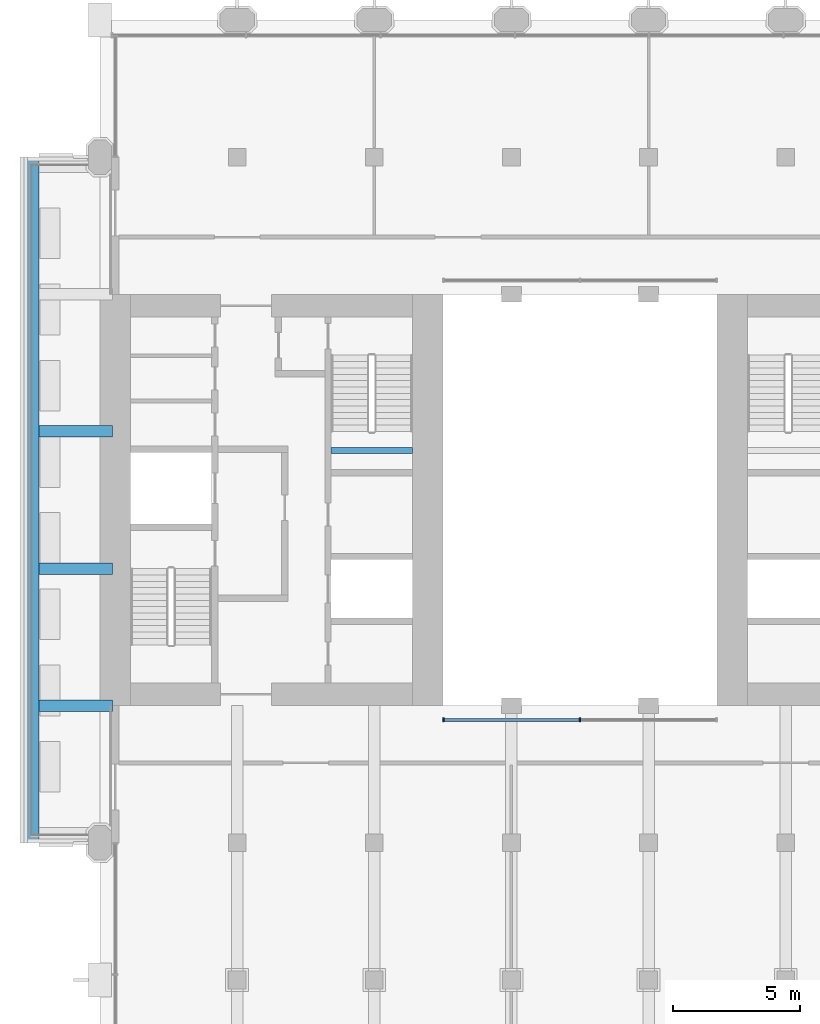
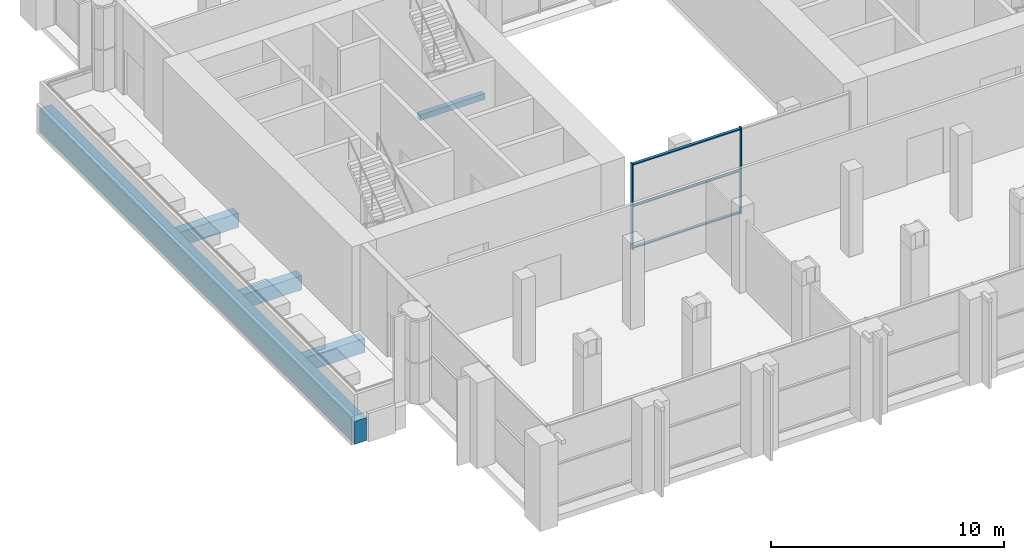
# One storey, part 4 of 14: 5 beams, 5 members, 1 element without a shape of its own.
"""IFC4 building model written with IfcOpenShell, lengths in metres."""

import ifcopenshell
import ifcopenshell.guid

model = None  # the IFC model being written
_history = None  # IfcOwnerHistory: only IFC2X3 demands one
_inside = {}  # id of a spatial element -> (the spatial element, [elements in it])
_under = {}  # id of a project, library or spatial element -> (it, [spatial elements below it])
_declared = {}  # id of a project -> (the project, [libraries it declares])
_typed = {}  # id of a type object -> (the type object, [elements of that type])
_made_of = {}  # id of a material, layer set ... -> (it, [elements and type objects made of it])


def new_model(schema):
    """Start an empty IFC model of exactly this schema.

    Asked for "IFC4X3", IfcOpenShell would pick the latest addendum, in which some entities
    have other attributes; the version numbers below select the first issue.
    IFC2X3 requires an IfcOwnerHistory on every rooted entity: one is made here for all.
    """
    global model, _history
    if schema == "IFC4X3":
        model = ifcopenshell.file(schema_version=(4, 3, 0, 0))
    else:
        model = ifcopenshell.file(schema=schema)
    _inside.clear()
    _under.clear()
    _declared.clear()
    _typed.clear()
    _made_of.clear()
    _history = None
    if model.schema == "IFC2X3":
        org = make("IfcOrganization", Name="unknown")
        user = make(
            "IfcPersonAndOrganization",
            ThePerson=make("IfcPerson", FamilyName="unknown"),
            TheOrganization=org,
        )
        app = make(
            "IfcApplication",
            ApplicationDeveloper=org,
            Version="unknown",
            ApplicationFullName="unknown",
            ApplicationIdentifier="unknown",
        )
        _history = make(
            "IfcOwnerHistory",
            OwningUser=user,
            OwningApplication=app,
            ChangeAction="ADDED",
            CreationDate=0,
        )
    return model


def make(cls, **values):
    """One entity of the class cls with the attributes given. An attribute that is None is left unset."""
    return model.create_entity(
        cls, **{name: value for name, value in values.items() if value is not None}
    )


def rooted(cls, **values):
    """An entity with a GlobalId (a new one), such as an element, a storey or a relation."""
    return make(cls, GlobalId=ifcopenshell.guid.new(), OwnerHistory=_history, **values)


def si_unit(unit_type, name, prefix=None):
    """IfcSIUnit, for example si_unit("LENGTHUNIT", "METRE", prefix="MILLI")."""
    return make("IfcSIUnit", UnitType=unit_type, Prefix=prefix, Name=name)


def assignment(units):
    """IfcUnitAssignment: the units of a project."""
    return None if units is None else make("IfcUnitAssignment", Units=units)


def point(xyz):
    """IfcCartesianPoint."""
    return None if xyz is None else make("IfcCartesianPoint", Coordinates=xyz)


def direction(xyz):
    """IfcDirection."""
    return None if xyz is None else make("IfcDirection", DirectionRatios=xyz)


def frame(location, z_axis=None, x_axis=None):
    """IfcAxis2Placement3D, a coordinate frame: its origin and axes. An axis left out is left unset."""
    return make(
        "IfcAxis2Placement3D",
        Location=point(location),
        Axis=direction(z_axis),
        RefDirection=direction(x_axis),
    )


def frame_2d(location, x_axis=None):
    """IfcAxis2Placement2D, a coordinate frame in the plane: its origin and x axis."""
    return make(
        "IfcAxis2Placement2D", Location=point(location), RefDirection=direction(x_axis)
    )


def origin():
    """The frame at (0, 0, 0) with its axes left unset."""
    return frame((0.0, 0.0, 0.0))


def origin_2d():
    """The frame at (0, 0) in the plane with its x axis left unset."""
    return frame_2d((0.0, 0.0))


def place(relative_to, where):
    """IfcLocalPlacement: puts the frame where relative to a parent placement (None: the world)."""
    return make(
        "IfcLocalPlacement", PlacementRelTo=relative_to, RelativePlacement=where
    )


def context(
    kind, dimensions, precision=None, world=None, true_north=None, identifier=None
):
    """IfcGeometricRepresentationContext, for example the 3D "Model" context."""
    return make(
        "IfcGeometricRepresentationContext",
        ContextIdentifier=identifier,
        ContextType=kind,
        CoordinateSpaceDimension=dimensions,
        Precision=precision,
        WorldCoordinateSystem=world,
        TrueNorth=true_north,
    )


def subcontext(parent, identifier, kind, view, scale=None):
    """IfcGeometricRepresentationSubContext, for example "Body" below "Model"."""
    return make(
        "IfcGeometricRepresentationSubContext",
        ContextIdentifier=identifier,
        ContextType=kind,
        ParentContext=parent,
        TargetScale=scale,
        TargetView=view,
    )


def project(units=None, contexts=None):
    """IfcProject with its units and contexts."""
    return rooted(
        "IfcProject",
        Name="project",
        RepresentationContexts=contexts,
        UnitsInContext=assignment(units),
    )


def spatial(cls, under=None, at=None, **own):
    """A site, building, storey or space (cls), placed at a placement, below another one or the project."""
    s = rooted(cls, ObjectPlacement=at, **own)
    if under is not None:
        _under.setdefault(under.id(), (under, []))[1].append(s)
    return s


def profile(cls, at=None, kind="AREA", **sizes):
    """A parametric profile (cls). Its sizes go by their IFC names, for example OverallWidth=200.0."""
    return make(cls, ProfileType=kind, Position=at, **sizes)


def rectangle(**sizes):
    """IfcRectangleProfileDef."""
    return profile("IfcRectangleProfileDef", **sizes)


def extrude(swept, where, along, depth):
    """IfcExtrudedAreaSolid: the profile swept, set in the frame where, extruded along a direction by depth."""
    return make(
        "IfcExtrudedAreaSolid",
        SweptArea=swept,
        Position=where,
        ExtrudedDirection=direction(along),
        Depth=depth,
    )


def shape(context_of_items, identifier, shape_type, items):
    """IfcShapeRepresentation: the items that make up one representation, for example the "Body"."""
    return make(
        "IfcShapeRepresentation",
        ContextOfItems=context_of_items,
        RepresentationIdentifier=identifier,
        RepresentationType=shape_type,
        Items=items,
    )


def material(Name=None, Category=None):
    """IfcMaterial."""
    return make("IfcMaterial", Name=Name, Category=Category)


def material_profile(
    of_material, cross_section, Name=None, Category=None, Priority=None
):
    """IfcMaterialProfile: a cross section and its material."""
    return make(
        "IfcMaterialProfile",
        Name=Name,
        Material=of_material,
        Profile=cross_section,
        Priority=Priority,
        Category=Category,
    )


def profile_set(profiles, Name=None, composite=None):
    """IfcMaterialProfileSet."""
    return make(
        "IfcMaterialProfileSet",
        Name=Name,
        MaterialProfiles=profiles,
        CompositeProfile=composite,
    )


def made_of(thing, what):
    """Note that an element or type object is made of a material, layer set ...; save() writes the relation."""
    if what is not None:
        _made_of.setdefault(what.id(), (what, []))[1].append(thing)
    return thing


def type_object(cls, material=None, **own):
    """A type object (cls), such as IfcWallType, which elements share."""
    return made_of(rooted(cls, **own), material)


def element(
    cls,
    number,
    at=None,
    inside=None,
    cuts=None,
    type_object=None,
    material=None,
    context=None,
    identifier="Body",
    shape_type=None,
    held_by="IfcProductDefinitionShape",
    body=None,
    shapes=None,
    **own,
):
    """One element of the class cls, such as IfcWall. Its Tag is "e" and its number.

    at: its placement. inside: the storey or other place that contains it. cuts: it is an
    opening in that element (IfcRelVoidsElement). A single representation is given by context,
    identifier, shape_type and body (its items); several are given by shapes. held_by: the class
    of the entity that holds the representations. save() writes the other relations.
    """
    e = rooted(cls, Tag="e%d" % number, ObjectPlacement=at, **own)
    if body is not None:
        shapes = [shape(context, identifier, shape_type, body)]
    if shapes is not None:
        e.Representation = make(held_by, Representations=shapes)
    if inside is not None:
        _inside.setdefault(inside.id(), (inside, []))[1].append(e)
    if cuts is not None:
        rooted(
            "IfcRelVoidsElement", RelatingBuildingElement=cuts, RelatedOpeningElement=e
        )
    if type_object is not None:
        _typed.setdefault(type_object.id(), (type_object, []))[1].append(e)
    return made_of(e, material)


def aggregate(whole, parts):
    """IfcRelAggregates: a whole, such as a stair, and the parts it consists of."""
    return rooted("IfcRelAggregates", RelatingObject=whole, RelatedObjects=parts)


def save(model, path):
    """Write the relations noted so far, then the file.

    IfcRelAggregates (storeys below a building ...), IfcRelContainedInSpatialStructure (elements
    in a storey), IfcRelDefinesByType, IfcRelAssociatesMaterial and IfcRelDeclares: one each for
    every whole, place, type object, material and project.
    """
    for whole, parts in _under.values():
        aggregate(whole, parts)
    for where, things in _inside.values():
        rooted(
            "IfcRelContainedInSpatialStructure",
            RelatedElements=things,
            RelatingStructure=where,
        )
    for kind, things in _typed.values():
        rooted("IfcRelDefinesByType", RelatedObjects=things, RelatingType=kind)
    for what, things in _made_of.values():
        rooted("IfcRelAssociatesMaterial", RelatedObjects=things, RelatingMaterial=what)
    for by, libraries in _declared.values():
        rooted("IfcRelDeclares", RelatingContext=by, RelatedDefinitions=libraries)
    model.write(path)


model = new_model("IFC4")

# Units and contexts
model_context = context("Model", 3, precision=1e-05, world=origin(), true_north=direction((0.0, 1.0)))
body_context = subcontext(model_context, "Body", "Model", "MODEL_VIEW")
ifc_project = project(units=[si_unit("LENGTHUNIT", "METRE"), si_unit("AREAUNIT", "SQUARE_METRE"), si_unit("VOLUMEUNIT", "CUBIC_METRE"), si_unit("PLANEANGLEUNIT", "RADIAN"), si_unit("MASSUNIT", "GRAM", prefix="KILO")], contexts=[model_context])

# Site, building, storey
site_placement = place(None, origin())
site = spatial("IfcSite", under=ifc_project, at=site_placement, CompositionType="ELEMENT")
building_placement = place(site_placement, origin())
building = spatial("IfcBuilding", under=site, at=building_placement, Name="Tabaq Tower and Sports Hall", CompositionType="ELEMENT")
storey_placement = place(building_placement, frame((0.0, 0.0, 260.5)))
storey = spatial("IfcBuildingStorey", under=building, at=storey_placement, Name="L63", CompositionType="ELEMENT", Elevation=260.5)

# Curtain wall, members
ifc_material_1 = material(Name="Aluminium alloy 6063-T6 framed glazing", Category="aluminium")
curtain_wall_type = type_object("IfcCurtainWallType", Name="CW1 curtain wall", PredefinedType="USERDEFINED", material=ifc_material_1)
curtain_wall_placement = place(storey_placement, origin())
curtain_wall = element("IfcCurtainWall", 1, at=curtain_wall_placement, inside=storey, type_object=curtain_wall_type, Name="Atrium glazing L63 S", ObjectType="ATRIUM ENCLOSURE", PredefinedType="USERDEFINED")
ifc_material_2 = material(Name="Aluminium alloy 6063-T6", Category="aluminium")
ifc_material_profile_1 = material_profile(ifc_material_2, rectangle(XDim=0.159912109375, YDim=0.06005859375, at=origin_2d()), Name="MULLION 160x60")
ifc_profile_set_1 = profile_set([ifc_material_profile_1], Name="Aluminium alloy 6063-T6")
member_type_1 = type_object("IfcMemberType", Name="CW1 mullion 160x60", PredefinedType="MULLION", material=ifc_profile_set_1)
member_1_placement = place(storey_placement, frame((18.929931640625, 15.64990234375, 0.0), z_axis=(0.0, 0.0, 1.0), x_axis=(0.0, 1.0, 0.0)))
member_1 = element("IfcMember", 2, at=member_1_placement, type_object=member_type_1, Name="CW1 mullion 1", PredefinedType="MULLION", context=body_context, shape_type="SweptSolid", body=[
    extrude(rectangle(XDim=0.159912109375, YDim=0.06005859375, at=origin_2d()), origin(), (0.0, 0.0, 1.0), 4.5),
])
member_2_placement = place(storey_placement, frame((24.300048828125, 15.64990234375, 0.0), z_axis=(0.0, 0.0, 1.0), x_axis=(0.0, 1.0, 0.0)))
member_2 = element("IfcMember", 3, at=member_2_placement, type_object=member_type_1, Name="CW1 mullion 2", PredefinedType="MULLION", context=body_context, shape_type="SweptSolid", body=[
    extrude(rectangle(XDim=0.159912109375, YDim=0.06005859375, at=origin_2d()), origin(), (0.0, 0.0, 1.0), 4.5),
])
ifc_material_3 = material(Name="Aluminium alloy 6063-T6", Category="aluminium")
ifc_material_profile_2 = material_profile(ifc_material_3, rectangle(XDim=0.139892578125, YDim=0.06005859375, at=origin_2d()), Name="TRANSOM 140x60")
ifc_profile_set_2 = profile_set([ifc_material_profile_2], Name="Aluminium alloy 6063-T6")
member_type_2 = type_object("IfcMemberType", Name="CW1 transom 140x60", PredefinedType="USERDEFINED", material=ifc_profile_set_2)
member_3_placement = place(storey_placement, frame((18.9599609375, 15.64990234375, 0.070068359375), z_axis=(1.0, 0.0, 0.0), x_axis=(0.0, 1.0, 0.0)))
member_3 = element("IfcMember", 4, at=member_3_placement, type_object=member_type_2, Name="CW1 transom 1.1", ObjectType="TRANSOM", PredefinedType="USERDEFINED", context=body_context, shape_type="SweptSolid", body=[
    extrude(rectangle(XDim=0.139892578125, YDim=0.06005859375, at=origin_2d()), origin(), (0.0, 0.0, 1.0), 5.31005859375),
])
member_4_placement = place(storey_placement, frame((18.9599609375, 15.64990234375, 2.25), z_axis=(1.0, 0.0, 0.0), x_axis=(0.0, 1.0, 0.0)))
member_4 = element("IfcMember", 5, at=member_4_placement, type_object=member_type_2, Name="CW1 transom 1.2", ObjectType="TRANSOM", PredefinedType="USERDEFINED", context=body_context, shape_type="SweptSolid", body=[
    extrude(rectangle(XDim=0.139892578125, YDim=0.06005859375, at=origin_2d()), origin(), (0.0, 0.0, 1.0), 5.31005859375),
])
member_5_placement = place(storey_placement, frame((18.9599609375, 15.64990234375, 4.429931640625), z_axis=(1.0, 0.0, 0.0), x_axis=(0.0, 1.0, 0.0)))
member_5 = element("IfcMember", 6, at=member_5_placement, type_object=member_type_2, Name="CW1 transom 1.3", ObjectType="TRANSOM", PredefinedType="USERDEFINED", context=body_context, shape_type="SweptSolid", body=[
    extrude(rectangle(XDim=0.139892578125, YDim=0.06005859375, at=origin_2d()), origin(), (0.0, 0.0, 1.0), 5.31005859375),
])
aggregate(curtain_wall, [member_1, member_2, member_3, member_4, member_5])

# Beams
ifc_material_4 = material(Name="Concrete C40/50", Category="concrete")
ifc_material_profile_3 = material_profile(ifc_material_4, rectangle(XDim=0.60009765625, YDim=1.199951171875, at=origin_2d()), Name="EBT 600x1200")
ifc_profile_set_3 = profile_set([ifc_material_profile_3], Name="Concrete C40/50")
beam_type_1 = type_object("IfcBeamType", Name="Concrete C40/50 PT edge band EBT 600x1200", PredefinedType="BEAM", material=ifc_profile_set_3)
beam_1_placement = place(storey_placement, frame((2.699951171875, 37.800048828125, -0.89990234375), z_axis=(0.0, -1.0, 0.0), x_axis=(1.0, 0.0, 0.0)))
element("IfcBeam", 7, at=beam_1_placement, inside=storey, type_object=beam_type_1, Name="Tray edge band L63", PredefinedType="BEAM", context=body_context, shape_type="SweptSolid", body=[
    extrude(rectangle(XDim=0.60009765625, YDim=1.199951171875, at=origin_2d()), origin(), (0.0, 0.0, 1.0), 27.0),
])
ifc_material_5 = material(Name="Concrete C40/50", Category="concrete")
ifc_material_profile_4 = material_profile(ifc_material_5, rectangle(XDim=0.449951171875, YDim=0.75, at=origin_2d()), Name="CB 450x750")
ifc_profile_set_4 = profile_set([ifc_material_profile_4], Name="Concrete C40/50")
beam_type_2 = type_object("IfcBeamType", Name="PT CANTILEVER BEAM CB 450x750 C40/50", PredefinedType="BEAM", material=ifc_profile_set_4)
for number, where, z_axis, x_axis, name in (
    (8, (3.0, 27.0, -0.675048828125), (1.0, 0.0, 0.0), (0.0, 1.0, 0.0), "Tray Cantilever Beam L63 T2 span 1"),
    (9, (3.0, 21.60009765625, -0.675048828125), (1.0, 0.0, 0.0), (0.0, 1.0, 0.0), "Tray Cantilever Beam L63 T3 span 1"),
    (10, (3.0, 16.199951171875, -0.675048828125), (1.0, 0.0, 0.0), (0.0, 1.0, 0.0), "Tray Cantilever Beam L63 T4 span 1"),
):
    element("IfcBeam", number, at=place(storey_placement, frame(where, z_axis=z_axis, x_axis=x_axis)), inside=storey, type_object=beam_type_2, Name=name, PredefinedType="BEAM", context=body_context, shape_type="SweptSolid", body=[
        extrude(rectangle(XDim=0.449951171875, YDim=0.75, at=origin_2d()), origin(), (0.0, 0.0, 1.0), 2.89990234375),
    ])
ifc_material_6 = material(Name="Concrete C40/50", Category="concrete")
ifc_material_profile_5 = material_profile(ifc_material_6, rectangle(XDim=0.25, YDim=0.300048828125, at=origin_2d()), Name="RC 250x300")
ifc_profile_set_5 = profile_set([ifc_material_profile_5], Name="Concrete C40/50")
beam_type_3 = type_object("IfcBeamType", Name="Stair landing beam 250x300", PredefinedType="BEAM", material=ifc_profile_set_5)
beam_2_placement = place(storey_placement, frame((14.5, 26.25, 2.050048828125), z_axis=(1.0, 0.0, 0.0), x_axis=(0.0, 1.0, 0.0)))
element("IfcBeam", 11, at=beam_2_placement, inside=storey, type_object=beam_type_3, Name="L63 ST2 landing beam 1", PredefinedType="BEAM", context=body_context, shape_type="SweptSolid", body=[
    extrude(rectangle(XDim=0.25, YDim=0.300048828125, at=origin_2d()), origin(), (0.0, 0.0, 1.0), 3.199951171875),
])

save(model, "model.ifc")
